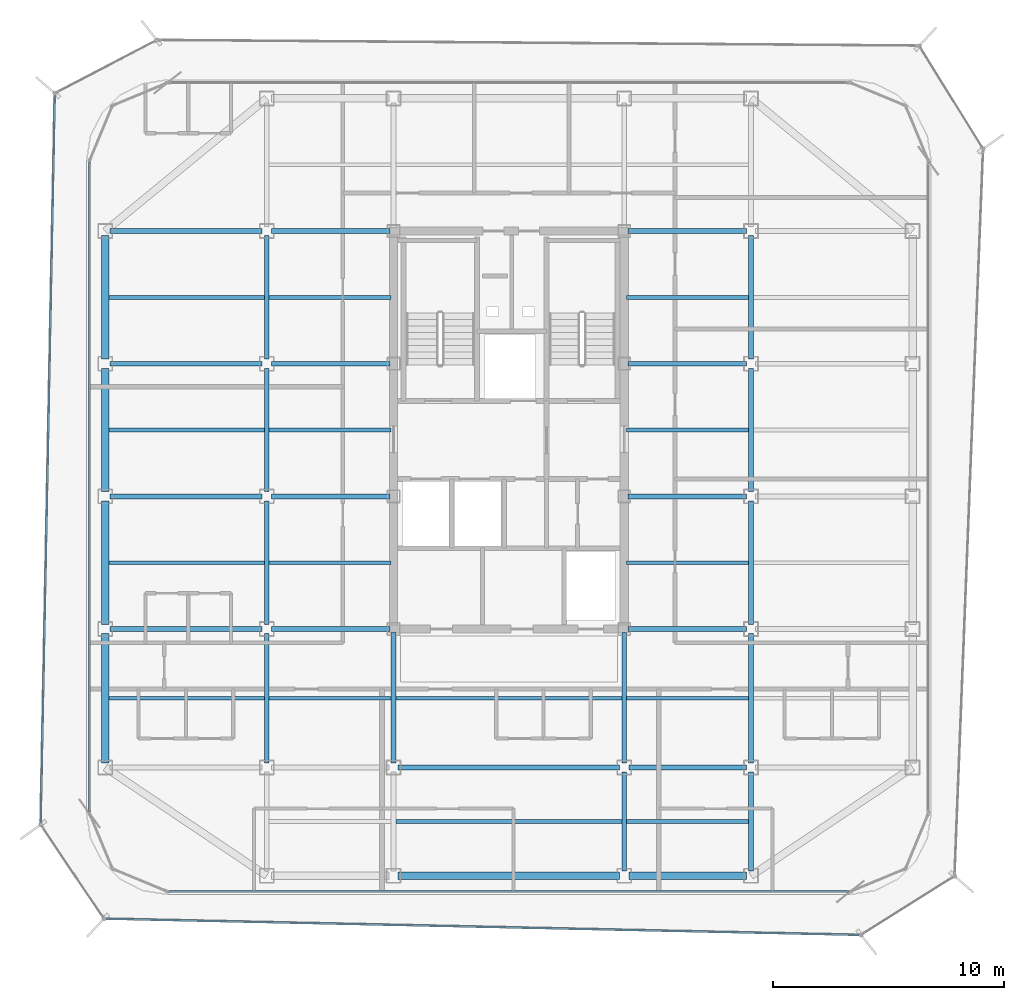
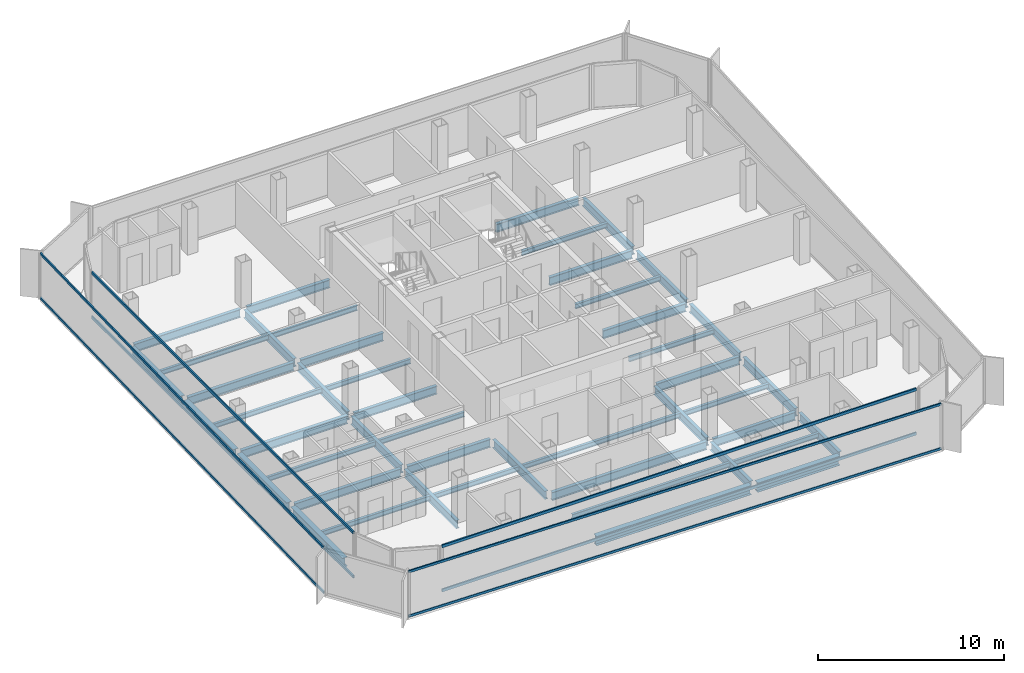
# One storey, part 3 of 15: 47 beams, 8 members, 4 elements without a shape of their own.
"""IFC4 building model written with IfcOpenShell, lengths in metres."""

from ifc_helpers import new_model, si_unit, direction, frame, origin, origin_2d, place, context, subcontext, project, spatial, hollow_rectangle, i_section, extrude, source, transform, mapped, material, layer, layer_set, material_profile, profile_set, type_object, element, aggregate, save


model = new_model("IFC4")

# Units and contexts
model_context = context("Model", 3, precision=1e-05, world=origin(), true_north=direction((0.0, 1.0)))
body_context = subcontext(model_context, "Body", "Model", "MODEL_VIEW")
ifc_project = project(units=[si_unit("LENGTHUNIT", "METRE"), si_unit("AREAUNIT", "SQUARE_METRE"), si_unit("VOLUMEUNIT", "CUBIC_METRE"), si_unit("PLANEANGLEUNIT", "RADIAN"), si_unit("MASSUNIT", "GRAM", prefix="KILO")], contexts=[model_context])

# Site, building, storey
site_placement = place(None, origin())
site = spatial("IfcSite", under=ifc_project, at=site_placement, CompositionType="ELEMENT")
building_placement = place(site_placement, origin())
building = spatial("IfcBuilding", under=site, at=building_placement, Name="Kolveth Station Tower", CompositionType="ELEMENT")
storey_placement = place(building_placement, frame((0.0, 0.0, 223.300048828125)))
storey = spatial("IfcBuildingStorey", under=building, at=storey_placement, Name="L63", CompositionType="ELEMENT", Elevation=223.300048828125)

# Beams
ifc_material_1 = material(Name="Steel S355", Category="steel")
ifc_material_profile_1 = material_profile(ifc_material_1, i_section(OverallWidth=0.323974609375, OverallDepth=0.611083984375, WebThickness=0.0126953125, FlangeThickness=0.01904296875, at=origin_2d()), Name="W610x155")
ifc_profile_set_1 = profile_set([ifc_material_profile_1], Name="Steel S355")
beam_type_1 = type_object("IfcBeamType", Name="Beam_SP2", PredefinedType="SPANDREL", material=ifc_profile_set_1)
shared_shape_1 = source(origin(), body_context, "Body", "SweptSolid", [
    extrude(i_section(OverallWidth=0.323974609375, OverallDepth=0.611083984375, WebThickness=0.0126953125, FlangeThickness=0.01904296875, at=origin_2d()), origin(), (0.0, 0.0, 1.0), 5.10009765625),
])
beam_1_placement = place(storey_placement, frame((28.699951171875, 0.800048828125, -0.525634765625), z_axis=(1.0, 0.0, 0.0), x_axis=(0.0, 1.0, 0.0)))
element("IfcBeam", 1, at=beam_1_placement, inside=storey, type_object=beam_type_1, Name="L63 Perimeter Spandrel BM-L63-PS-3", PredefinedType="SPANDREL", context=body_context, shape_type="MappedRepresentation", body=[
    mapped(shared_shape_1, transform((0.0, 0.0, 0.0), x_axis=(1.0, 0.0, 0.0), y_axis=(0.0, 1.0, 0.0), z_axis=(0.0, 0.0, 1.0), scale=1.0)),
])
shared_shape_2 = source(origin(), body_context, "Body", "SweptSolid", [
    extrude(i_section(OverallWidth=0.323974609375, OverallDepth=0.611083984375, WebThickness=0.0126953125, FlangeThickness=0.01904296875, at=origin_2d()), origin(), (0.0, 0.0, 1.0), 9.60009765625),
])
beam_2_placement = place(storey_placement, frame((18.699951171875, 0.800048828125, -0.525634765625), z_axis=(1.0, 0.0, 0.0), x_axis=(0.0, 1.0, 0.0)))
element("IfcBeam", 2, at=beam_2_placement, inside=storey, type_object=beam_type_1, Name="L63 Perimeter Spandrel BM-L63-PS-2", PredefinedType="SPANDREL", context=body_context, shape_type="MappedRepresentation", body=[
    mapped(shared_shape_2, transform((0.0, 0.0, 0.0), x_axis=(1.0, 0.0, 0.0), y_axis=(0.0, 1.0, 0.0), z_axis=(0.0, 0.0, 1.0), scale=1.0)),
])
shared_shape_3 = source(origin(), body_context, "Body", "SweptSolid", [
    extrude(i_section(OverallWidth=0.323974609375, OverallDepth=0.611083984375, WebThickness=0.0126953125, FlangeThickness=0.01904296875, at=origin_2d()), origin(), (0.0, 0.0, 1.0), 5.60009765625),
])
beam_3_placement = place(storey_placement, frame((6.0, 5.699951171875, -0.525634765625), z_axis=(0.0, 1.0, 0.0), x_axis=(-1.0, 0.0, 0.0)))
element("IfcBeam", 3, at=beam_3_placement, inside=storey, type_object=beam_type_1, Name="L63 Perimeter Spandrel BM-L63-PW-1", PredefinedType="SPANDREL", context=body_context, shape_type="MappedRepresentation", body=[
    mapped(shared_shape_3, transform((0.0, 0.0, 0.0), x_axis=(1.0, 0.0, 0.0), y_axis=(0.0, 1.0, 0.0), z_axis=(0.0, 0.0, 1.0), scale=1.0)),
])
shared_shape_4 = source(origin(), body_context, "Body", "SweptSolid", [
    extrude(i_section(OverallWidth=0.323974609375, OverallDepth=0.611083984375, WebThickness=0.0126953125, FlangeThickness=0.01904296875, at=origin_2d()), origin(), (0.0, 0.0, 1.0), 5.35009765625),
])
for number, where, z_axis, x_axis, name in (
    (4, (6.0, 11.699951171875, -0.525634765625), (0.0, 1.0, 0.0), (-1.0, 0.0, 0.0), "L63 Perimeter Spandrel BM-L63-PW-2"),
    (5, (6.0, 17.449951171875, -0.525634765625), (0.0, 1.0, 0.0), (-1.0, 0.0, 0.0), "L63 Perimeter Spandrel BM-L63-PW-3"),
    (6, (6.0, 23.199951171875, -0.525634765625), (0.0, 1.0, 0.0), (-1.0, 0.0, 0.0), "L63 Perimeter Spandrel BM-L63-PW-4"),
):
    element("IfcBeam", number, at=place(storey_placement, frame(where, z_axis=z_axis, x_axis=x_axis)), inside=storey, type_object=beam_type_1, Name=name, PredefinedType="SPANDREL", context=body_context, shape_type="MappedRepresentation", body=[
        mapped(shared_shape_4, transform((0.0, 0.0, 0.0), x_axis=(1.0, 0.0, 0.0), y_axis=(0.0, 1.0, 0.0), z_axis=(0.0, 0.0, 1.0), scale=1.0)),
    ])
ifc_material_profile_2 = material_profile(ifc_material_1, i_section(OverallWidth=0.2099609375, OverallDepth=0.537109375, WebThickness=0.010986328125, FlangeThickness=0.017333984375, at=origin_2d()), Name="W530x101")
ifc_profile_set_2 = profile_set([ifc_material_profile_2], Name="Steel S355")
beam_type_2 = type_object("IfcBeamType", Name="Beam_B6", PredefinedType="BEAM", material=ifc_profile_set_2)
shared_shape_5 = source(origin(), body_context, "Body", "SweptSolid", [
    extrude(i_section(OverallWidth=0.2099609375, OverallDepth=0.537109375, WebThickness=0.010986328125, FlangeThickness=0.017333984375, at=origin_2d()), origin(), (0.0, 0.0, 1.0), 6.60009765625),
])
for number, where, z_axis, x_axis, name in (
    (7, (6.199951171875, 11.5, -0.488525390625), (1.0, 0.0, 0.0), (0.0, 1.0, 0.0), "L63 Primary Girder BM-L63-GY115-1"),
    (8, (6.199951171875, 17.25, -0.488525390625), (1.0, 0.0, 0.0), (0.0, 1.0, 0.0), "L63 Primary Girder BM-L63-GY172-1"),
    (9, (6.199951171875, 23.0, -0.488525390625), (1.0, 0.0, 0.0), (0.0, 1.0, 0.0), "L63 Primary Girder BM-L63-GY230-1"),
    (10, (6.199951171875, 28.75, -0.488525390625), (1.0, 0.0, 0.0), (0.0, 1.0, 0.0), "L63 Primary Girder BM-L63-GY287-1"),
):
    element("IfcBeam", number, at=place(storey_placement, frame(where, z_axis=z_axis, x_axis=x_axis)), inside=storey, type_object=beam_type_2, Name=name, PredefinedType="BEAM", context=body_context, shape_type="MappedRepresentation", body=[
        mapped(shared_shape_5, transform((0.0, 0.0, 0.0), x_axis=(1.0, 0.0, 0.0), y_axis=(0.0, 1.0, 0.0), z_axis=(0.0, 0.0, 1.0), scale=1.0)),
    ])
shared_shape_6 = source(origin(), body_context, "Body", "SweptSolid", [
    extrude(i_section(OverallWidth=0.2099609375, OverallDepth=0.537109375, WebThickness=0.010986328125, FlangeThickness=0.017333984375, at=origin_2d()), origin(), (0.0, 0.0, 1.0), 5.10009765625),
])
beam_4_placement = place(storey_placement, frame((28.699951171875, 5.5, -0.488525390625), z_axis=(1.0, 0.0, 0.0), x_axis=(0.0, 1.0, 0.0)))
element("IfcBeam", 11, at=beam_4_placement, inside=storey, type_object=beam_type_2, Name="L63 Primary Girder BM-L63-GY55-4", PredefinedType="BEAM", context=body_context, shape_type="MappedRepresentation", body=[
    mapped(shared_shape_6, transform((0.0, 0.0, 0.0), x_axis=(1.0, 0.0, 0.0), y_axis=(0.0, 1.0, 0.0), z_axis=(0.0, 0.0, 1.0), scale=1.0)),
])
shared_shape_7 = source(origin(), body_context, "Body", "SweptSolid", [
    extrude(i_section(OverallWidth=0.2099609375, OverallDepth=0.537109375, WebThickness=0.010986328125, FlangeThickness=0.017333984375, at=origin_2d()), origin(), (0.0, 0.0, 1.0), 9.60009765625),
])
beam_5_placement = place(storey_placement, frame((18.699951171875, 5.5, -0.488525390625), z_axis=(1.0, 0.0, 0.0), x_axis=(0.0, 1.0, 0.0)))
element("IfcBeam", 12, at=beam_5_placement, inside=storey, type_object=beam_type_2, Name="L63 Primary Girder BM-L63-GY55-3", PredefinedType="BEAM", context=body_context, shape_type="MappedRepresentation", body=[
    mapped(shared_shape_7, transform((0.0, 0.0, 0.0), x_axis=(1.0, 0.0, 0.0), y_axis=(0.0, 1.0, 0.0), z_axis=(0.0, 0.0, 1.0), scale=1.0)),
])
shared_shape_8 = source(origin(), body_context, "Body", "SweptSolid", [
    extrude(i_section(OverallWidth=0.2099609375, OverallDepth=0.537109375, WebThickness=0.010986328125, FlangeThickness=0.017333984375, at=origin_2d()), origin(), (0.0, 0.0, 1.0), 5.14013671875),
])
for number, where, z_axis, x_axis, name in (
    (13, (13.199951171875, 11.5, -0.488525390625), (1.0, 0.0, 0.0), (0.0, 1.0, 0.0), "L63 Primary Girder BM-L63-GY115-2"),
    (14, (28.659912109375, 11.5, -0.488525390625), (1.0, 0.0, 0.0), (0.0, 1.0, 0.0), "L63 Primary Girder BM-L63-GY115-4"),
    (15, (13.199951171875, 17.25, -0.488525390625), (1.0, 0.0, 0.0), (0.0, 1.0, 0.0), "L63 Primary Girder BM-L63-GY172-2"),
    (16, (28.659912109375, 17.25, -0.488525390625), (1.0, 0.0, 0.0), (0.0, 1.0, 0.0), "L63 Primary Girder BM-L63-GY172-4"),
    (17, (13.199951171875, 23.0, -0.488525390625), (1.0, 0.0, 0.0), (0.0, 1.0, 0.0), "L63 Primary Girder BM-L63-GY230-2"),
    (18, (28.659912109375, 23.0, -0.488525390625), (1.0, 0.0, 0.0), (0.0, 1.0, 0.0), "L63 Primary Girder BM-L63-GY230-4"),
    (19, (13.199951171875, 28.75, -0.488525390625), (1.0, 0.0, 0.0), (0.0, 1.0, 0.0), "L63 Primary Girder BM-L63-GY287-2"),
    (20, (28.659912109375, 28.75, -0.488525390625), (1.0, 0.0, 0.0), (0.0, 1.0, 0.0), "L63 Primary Girder BM-L63-GY287-4"),
):
    element("IfcBeam", number, at=place(storey_placement, frame(where, z_axis=z_axis, x_axis=x_axis)), inside=storey, type_object=beam_type_2, Name=name, PredefinedType="BEAM", context=body_context, shape_type="MappedRepresentation", body=[
        mapped(shared_shape_8, transform((0.0, 0.0, 0.0), x_axis=(1.0, 0.0, 0.0), y_axis=(0.0, 1.0, 0.0), z_axis=(0.0, 0.0, 1.0), scale=1.0)),
    ])
shared_shape_9 = source(origin(), body_context, "Body", "SweptSolid", [
    extrude(i_section(OverallWidth=0.2099609375, OverallDepth=0.537109375, WebThickness=0.010986328125, FlangeThickness=0.017333984375, at=origin_2d()), origin(), (0.0, 0.0, 1.0), 4.300048828125),
])
for number, where, z_axis, x_axis, name in (
    (21, (28.5, 1.0, -0.488525390625), (0.0, 1.0, 0.0), (-1.0, 0.0, 0.0), "L63 Primary Girder BM-L63-GX285-1"),
    (22, (34.0, 1.0, -0.488525390625), (0.0, 1.0, 0.0), (-1.0, 0.0, 0.0), "L63 Primary Girder BM-L63-GX340-1"),
):
    element("IfcBeam", number, at=place(storey_placement, frame(where, z_axis=z_axis, x_axis=x_axis)), inside=storey, type_object=beam_type_2, Name=name, PredefinedType="BEAM", context=body_context, shape_type="MappedRepresentation", body=[
        mapped(shared_shape_9, transform((0.0, 0.0, 0.0), x_axis=(1.0, 0.0, 0.0), y_axis=(0.0, 1.0, 0.0), z_axis=(0.0, 0.0, 1.0), scale=1.0)),
    ])
shared_shape_10 = source(origin(), body_context, "Body", "SweptSolid", [
    extrude(i_section(OverallWidth=0.2099609375, OverallDepth=0.537109375, WebThickness=0.010986328125, FlangeThickness=0.017333984375, at=origin_2d()), origin(), (0.0, 0.0, 1.0), 5.60009765625),
])
for number, where, z_axis, x_axis, name in (
    (23, (13.0, 5.699951171875, -0.488525390625), (0.0, 1.0, 0.0), (-1.0, 0.0, 0.0), "L63 Primary Girder BM-L63-GX130-2"),
    (24, (34.0, 5.699951171875, -0.488525390625), (0.0, 1.0, 0.0), (-1.0, 0.0, 0.0), "L63 Primary Girder BM-L63-GX340-2"),
):
    element("IfcBeam", number, at=place(storey_placement, frame(where, z_axis=z_axis, x_axis=x_axis)), inside=storey, type_object=beam_type_2, Name=name, PredefinedType="BEAM", context=body_context, shape_type="MappedRepresentation", body=[
        mapped(shared_shape_10, transform((0.0, 0.0, 0.0), x_axis=(1.0, 0.0, 0.0), y_axis=(0.0, 1.0, 0.0), z_axis=(0.0, 0.0, 1.0), scale=1.0)),
    ])
shared_shape_11 = source(origin(), body_context, "Body", "SweptSolid", [
    extrude(i_section(OverallWidth=0.2099609375, OverallDepth=0.537109375, WebThickness=0.010986328125, FlangeThickness=0.017333984375, at=origin_2d()), origin(), (0.0, 0.0, 1.0), 5.35009765625),
])
for number, where, z_axis, x_axis, name in (
    (25, (13.0, 11.699951171875, -0.488525390625), (0.0, 1.0, 0.0), (-1.0, 0.0, 0.0), "L63 Primary Girder BM-L63-GX130-3"),
    (26, (13.0, 17.449951171875, -0.488525390625), (0.0, 1.0, 0.0), (-1.0, 0.0, 0.0), "L63 Primary Girder BM-L63-GX130-4"),
    (27, (13.0, 23.199951171875, -0.488525390625), (0.0, 1.0, 0.0), (-1.0, 0.0, 0.0), "L63 Primary Girder BM-L63-GX130-5"),
    (28, (34.0, 11.699951171875, -0.488525390625), (0.0, 1.0, 0.0), (-1.0, 0.0, 0.0), "L63 Primary Girder BM-L63-GX340-3"),
    (29, (34.0, 17.449951171875, -0.488525390625), (0.0, 1.0, 0.0), (-1.0, 0.0, 0.0), "L63 Primary Girder BM-L63-GX340-4"),
    (30, (34.0, 23.199951171875, -0.488525390625), (0.0, 1.0, 0.0), (-1.0, 0.0, 0.0), "L63 Primary Girder BM-L63-GX340-5"),
):
    element("IfcBeam", number, at=place(storey_placement, frame(where, z_axis=z_axis, x_axis=x_axis)), inside=storey, type_object=beam_type_2, Name=name, PredefinedType="BEAM", context=body_context, shape_type="MappedRepresentation", body=[
        mapped(shared_shape_11, transform((0.0, 0.0, 0.0), x_axis=(1.0, 0.0, 0.0), y_axis=(0.0, 1.0, 0.0), z_axis=(0.0, 0.0, 1.0), scale=1.0)),
    ])
shared_shape_12 = source(origin(), body_context, "Body", "SweptSolid", [
    extrude(i_section(OverallWidth=0.2099609375, OverallDepth=0.537109375, WebThickness=0.010986328125, FlangeThickness=0.017333984375, at=origin_2d()), origin(), (0.0, 0.0, 1.0), 5.64013671875),
])
for number, where, z_axis, x_axis, name in (
    (31, (18.5, 5.699951171875, -0.488525390625), (0.0, 1.0, 0.0), (-1.0, 0.0, 0.0), "L63 Primary Girder BM-L63-GX185-2"),
    (32, (28.5, 5.699951171875, -0.488525390625), (0.0, 1.0, 0.0), (-1.0, 0.0, 0.0), "L63 Primary Girder BM-L63-GX285-2"),
):
    element("IfcBeam", number, at=place(storey_placement, frame(where, z_axis=z_axis, x_axis=x_axis)), inside=storey, type_object=beam_type_2, Name=name, PredefinedType="BEAM", context=body_context, shape_type="MappedRepresentation", body=[
        mapped(shared_shape_12, transform((0.0, 0.0, 0.0), x_axis=(1.0, 0.0, 0.0), y_axis=(0.0, 1.0, 0.0), z_axis=(0.0, 0.0, 1.0), scale=1.0)),
    ])
ifc_material_profile_3 = material_profile(ifc_material_1, i_section(OverallWidth=0.1650390625, OverallDepth=0.31005859375, WebThickness=0.005859375, FlangeThickness=0.009765625, at=origin_2d()), Name="W310x39")
ifc_profile_set_3 = profile_set([ifc_material_profile_3], Name="Steel S355")
beam_type_3 = type_object("IfcBeamType", Name="Beam_J3", PredefinedType="JOIST", material=ifc_profile_set_3)
shared_shape_13 = source(origin(), body_context, "Body", "SweptSolid", [
    extrude(i_section(OverallWidth=0.1650390625, OverallDepth=0.31005859375, WebThickness=0.005859375, FlangeThickness=0.009765625, at=origin_2d()), origin(), (0.0, 0.0, 1.0), 6.737060546875),
])
for number, where, z_axis, x_axis, name in (
    (33, (6.159912109375, 8.5, -0.375), (1.0, 0.0, 0.0), (0.0, 1.0, 0.0), "L63 Secondary Joist JST-L63-1-2"),
    (34, (6.159912109375, 14.375, -0.375), (1.0, 0.0, 0.0), (0.0, 1.0, 0.0), "L63 Secondary Joist JST-L63-1-3"),
    (35, (6.159912109375, 20.125, -0.375), (1.0, 0.0, 0.0), (0.0, 1.0, 0.0), "L63 Secondary Joist JST-L63-1-4"),
    (36, (6.159912109375, 25.875, -0.375), (1.0, 0.0, 0.0), (0.0, 1.0, 0.0), "L63 Secondary Joist JST-L63-1-5"),
):
    element("IfcBeam", number, at=place(storey_placement, frame(where, z_axis=z_axis, x_axis=x_axis)), inside=storey, type_object=beam_type_3, Name=name, PredefinedType="JOIST", context=body_context, shape_type="MappedRepresentation", body=[
        mapped(shared_shape_13, transform((0.0, 0.0, 0.0), x_axis=(1.0, 0.0, 0.0), y_axis=(0.0, 1.0, 0.0), z_axis=(0.0, 0.0, 1.0), scale=1.0)),
    ])
shared_shape_14 = source(origin(), body_context, "Body", "SweptSolid", [
    extrude(i_section(OverallWidth=0.1650390625, OverallDepth=0.31005859375, WebThickness=0.005859375, FlangeThickness=0.009765625, at=origin_2d()), origin(), (0.0, 0.0, 1.0), 5.2939453125),
])
for number, where, z_axis, x_axis, name in (
    (37, (13.10302734375, 8.5, -0.375), (1.0, 0.0, 0.0), (0.0, 1.0, 0.0), "L63 Secondary Joist JST-L63-2-2"),
    (38, (13.10302734375, 14.375, -0.375), (1.0, 0.0, 0.0), (0.0, 1.0, 0.0), "L63 Secondary Joist JST-L63-2-3"),
    (39, (13.10302734375, 20.125, -0.375), (1.0, 0.0, 0.0), (0.0, 1.0, 0.0), "L63 Secondary Joist JST-L63-2-4"),
    (40, (13.10302734375, 25.875, -0.375), (1.0, 0.0, 0.0), (0.0, 1.0, 0.0), "L63 Secondary Joist JST-L63-2-5"),
    (41, (28.60302734375, 3.14990234375, -0.375), (1.0, 0.0, 0.0), (0.0, 1.0, 0.0), "L63 Secondary Joist JST-L63-4-1"),
    (42, (28.60302734375, 8.5, -0.375), (1.0, 0.0, 0.0), (0.0, 1.0, 0.0), "L63 Secondary Joist JST-L63-4-2"),
    (43, (28.60302734375, 14.375, -0.375), (1.0, 0.0, 0.0), (0.0, 1.0, 0.0), "L63 Secondary Joist JST-L63-4-3"),
    (44, (28.60302734375, 20.125, -0.375), (1.0, 0.0, 0.0), (0.0, 1.0, 0.0), "L63 Secondary Joist JST-L63-4-4"),
    (45, (28.60302734375, 25.875, -0.375), (1.0, 0.0, 0.0), (0.0, 1.0, 0.0), "L63 Secondary Joist JST-L63-4-5"),
):
    element("IfcBeam", number, at=place(storey_placement, frame(where, z_axis=z_axis, x_axis=x_axis)), inside=storey, type_object=beam_type_3, Name=name, PredefinedType="JOIST", context=body_context, shape_type="MappedRepresentation", body=[
        mapped(shared_shape_14, transform((0.0, 0.0, 0.0), x_axis=(1.0, 0.0, 0.0), y_axis=(0.0, 1.0, 0.0), z_axis=(0.0, 0.0, 1.0), scale=1.0)),
    ])
shared_shape_15 = source(origin(), body_context, "Body", "SweptSolid", [
    extrude(i_section(OverallWidth=0.1650390625, OverallDepth=0.31005859375, WebThickness=0.005859375, FlangeThickness=0.009765625, at=origin_2d()), origin(), (0.0, 0.0, 1.0), 9.7939453125),
])
for number, where, z_axis, x_axis, name in (
    (46, (18.60302734375, 3.14990234375, -0.375), (1.0, 0.0, 0.0), (0.0, 1.0, 0.0), "L63 Secondary Joist JST-L63-3-1"),
    (47, (18.60302734375, 8.5, -0.375), (1.0, 0.0, 0.0), (0.0, 1.0, 0.0), "L63 Secondary Joist JST-L63-3-2"),
):
    element("IfcBeam", number, at=place(storey_placement, frame(where, z_axis=z_axis, x_axis=x_axis)), inside=storey, type_object=beam_type_3, Name=name, PredefinedType="JOIST", context=body_context, shape_type="MappedRepresentation", body=[
        mapped(shared_shape_15, transform((0.0, 0.0, 0.0), x_axis=(1.0, 0.0, 0.0), y_axis=(0.0, 1.0, 0.0), z_axis=(0.0, 0.0, 1.0), scale=1.0)),
    ])

# Curtain wall, members
ifc_material_2 = material(Name="Aluminium 6063-T6 and triple low-E dark glass", Category="aluminium")
ifc_layer_1 = layer(ifc_material_2, 0.199951171875)
ifc_layer_set_1 = layer_set([ifc_layer_1], Name="Aluminium 6063-T6 and triple low-E dark glass")
curtain_wall_type_1 = type_object("IfcCurtainWallType", Name="CurtainWall_CW-Z3", PredefinedType="NOTDEFINED", material=ifc_layer_set_1)
curtain_wall_1_placement = place(storey_placement, origin())
curtain_wall_1 = element("IfcCurtainWall", 48, at=curtain_wall_1_placement, inside=storey, type_object=curtain_wall_type_1, Name="L63 Inner Thermal Curtain Wall 9", PredefinedType="NOTDEFINED")
ifc_material_3 = material(Name="Black anodized aluminium 6063-T6", Category="aluminium")
ifc_material_profile_4 = material_profile(ifc_material_3, hollow_rectangle(XDim=0.0849609375, YDim=0.179931640625, WallThickness=0.0048828125, at=origin_2d()), Name="ALU-85x180x5")
ifc_profile_set_4 = profile_set([ifc_material_profile_4], Name="Black anodized aluminium 6063-T6")
member_type_1 = type_object("IfcMemberType", Name="Transom_TR3", PredefinedType="USERDEFINED", material=ifc_profile_set_4)
shared_shape_16 = source(origin(), body_context, "Body", "SweptSolid", [
    extrude(hollow_rectangle(XDim=0.0849609375, YDim=0.179931640625, WallThickness=0.0048828125, at=origin_2d()), origin(), (0.0, 0.0, 1.0), 28.130126953125),
])
member_1_placement = place(storey_placement, frame((5.320068359375, 31.715087890625, 0.04248046875), z_axis=(0.0, -1.0, 0.0), x_axis=(1.0, 0.0, 0.0)))
member_1 = element("IfcMember", 49, at=member_1_placement, type_object=member_type_1, Name="CW-Z3 transom 1.1", ObjectType="TRANSOM", PredefinedType="USERDEFINED", context=body_context, shape_type="MappedRepresentation", body=[
    mapped(shared_shape_16, transform((0.0, 0.0, 0.0), x_axis=(1.0, 0.0, 0.0), y_axis=(0.0, 1.0, 0.0), z_axis=(0.0, 0.0, 1.0), scale=1.0)),
])
member_2_placement = place(storey_placement, frame((5.320068359375, 31.715087890625, 2.9375), z_axis=(0.0, -1.0, 0.0), x_axis=(1.0, 0.0, 0.0)))
member_2 = element("IfcMember", 50, at=member_2_placement, type_object=member_type_1, Name="CW-Z3 transom 1.2", ObjectType="TRANSOM", PredefinedType="USERDEFINED", context=body_context, shape_type="MappedRepresentation", body=[
    mapped(shared_shape_16, transform((0.0, 0.0, 0.0), x_axis=(1.0, 0.0, 0.0), y_axis=(0.0, 1.0, 0.0), z_axis=(0.0, 0.0, 1.0), scale=1.0)),
])
aggregate(curtain_wall_1, [member_1, member_2])

curtain_wall_2_placement = place(storey_placement, origin())
curtain_wall_2 = element("IfcCurtainWall", 51, at=curtain_wall_2_placement, inside=storey, type_object=curtain_wall_type_1, Name="L63 Inner Thermal Curtain Wall 12", PredefinedType="NOTDEFINED")
shared_shape_17 = source(origin(), body_context, "Body", "SweptSolid", [
    extrude(hollow_rectangle(XDim=0.0849609375, YDim=0.179931640625, WallThickness=0.0048828125, at=origin_2d()), origin(), (0.0, 0.0, 1.0), 29.43017578125),
])
member_3_placement = place(storey_placement, frame((8.784912109375, 0.1201171875, 0.04248046875), z_axis=(1.0, 0.0, 0.0), x_axis=(0.0, 1.0, 0.0)))
member_3 = element("IfcMember", 52, at=member_3_placement, type_object=member_type_1, Name="CW-Z3 transom 1.1", ObjectType="TRANSOM", PredefinedType="USERDEFINED", context=body_context, shape_type="MappedRepresentation", body=[
    mapped(shared_shape_17, transform((0.0, 0.0, 0.0), x_axis=(1.0, 0.0, 0.0), y_axis=(0.0, 1.0, 0.0), z_axis=(0.0, 0.0, 1.0), scale=1.0)),
])
member_4_placement = place(storey_placement, frame((8.784912109375, 0.1201171875, 2.9375), z_axis=(1.0, 0.0, 0.0), x_axis=(0.0, 1.0, 0.0)))
member_4 = element("IfcMember", 53, at=member_4_placement, type_object=member_type_1, Name="CW-Z3 transom 1.2", ObjectType="TRANSOM", PredefinedType="USERDEFINED", context=body_context, shape_type="MappedRepresentation", body=[
    mapped(shared_shape_17, transform((0.0, 0.0, 0.0), x_axis=(1.0, 0.0, 0.0), y_axis=(0.0, 1.0, 0.0), z_axis=(0.0, 0.0, 1.0), scale=1.0)),
])
aggregate(curtain_wall_2, [member_3, member_4])

ifc_material_4 = material(Name="Black anodized aluminium 6063-T6 and dark solar glass", Category="aluminium")
ifc_layer_2 = layer(ifc_material_4, 0.159912109375)
ifc_layer_set_2 = layer_set([ifc_layer_2], Name="Black anodized aluminium 6063-T6 and dark solar glass")
curtain_wall_type_2 = type_object("IfcCurtainWallType", Name="OUTER SKIN CW-OS", PredefinedType="NOTDEFINED", material=ifc_layer_set_2)
curtain_wall_3_placement = place(storey_placement, origin())
curtain_wall_3 = element("IfcCurtainWall", 54, at=curtain_wall_3_placement, inside=storey, type_object=curtain_wall_type_2, Name="L63 Outer Ventilated Skin Curtain Wall 6", PredefinedType="NOTDEFINED")
ifc_material_profile_5 = material_profile(ifc_material_3, hollow_rectangle(XDim=0.080078125, YDim=0.14990234375, WallThickness=0.0048828125, at=origin_2d()), Name="ALU-80x150x5")
ifc_profile_set_5 = profile_set([ifc_material_profile_5], Name="Black anodized aluminium 6063-T6")
member_type_2 = type_object("IfcMemberType", Name="Transom_TR-OS", PredefinedType="USERDEFINED", material=ifc_profile_set_5)
shared_shape_18 = source(origin(), body_context, "Body", "SweptSolid", [
    extrude(hollow_rectangle(XDim=0.080078125, YDim=0.14990234375, WallThickness=0.0048828125, at=origin_2d()), origin(), (0.0, 0.0, 1.0), 31.5205078125),
])
member_5_placement = place(storey_placement, frame((3.81640625, 34.626953125, 0.0400390625), z_axis=(-0.019355859997, -0.999812657793, 0.0), x_axis=(0.999812657793, -0.019355859997, 0.0)))
member_5 = element("IfcMember", 55, at=member_5_placement, type_object=member_type_2, Name="CW-OS transom 1.1", ObjectType="TRANSOM", PredefinedType="USERDEFINED", context=body_context, shape_type="MappedRepresentation", body=[
    mapped(shared_shape_18, transform((0.0, 0.0, 0.0), x_axis=(1.0, 0.0, 0.0), y_axis=(0.0, 1.0, 0.0), z_axis=(0.0, 0.0, 1.0), scale=1.0)),
])
member_6_placement = place(storey_placement, frame((3.81640625, 34.626953125, 2.949951171875), z_axis=(-0.019355859997, -0.999812657793, 0.0), x_axis=(0.999812657793, -0.019355859997, 0.0)))
member_6 = element("IfcMember", 56, at=member_6_placement, type_object=member_type_2, Name="CW-OS transom 1.2", ObjectType="TRANSOM", PredefinedType="USERDEFINED", context=body_context, shape_type="MappedRepresentation", body=[
    mapped(shared_shape_18, transform((0.0, 0.0, 0.0), x_axis=(1.0, 0.0, 0.0), y_axis=(0.0, 1.0, 0.0), z_axis=(0.0, 0.0, 1.0), scale=1.0)),
])
aggregate(curtain_wall_3, [member_5, member_6])

curtain_wall_4_placement = place(storey_placement, origin())
curtain_wall_4 = element("IfcCurtainWall", 57, at=curtain_wall_4_placement, inside=storey, type_object=curtain_wall_type_2, Name="L63 Outer Ventilated Skin Curtain Wall 8", PredefinedType="NOTDEFINED")
shared_shape_19 = source(origin(), body_context, "Body", "SweptSolid", [
    extrude(hollow_rectangle(XDim=0.080078125, YDim=0.14990234375, WallThickness=0.0048828125, at=origin_2d()), origin(), (0.0, 0.0, 1.0), 32.641357421875),
])
member_7_placement = place(storey_placement, frame((6.0400390625, -1.059814453125, 0.0400390625), z_axis=(0.999768611319, -0.021511016295, 0.0), x_axis=(0.021511016295, 0.999768611319, 0.0)))
member_7 = element("IfcMember", 58, at=member_7_placement, type_object=member_type_2, Name="CW-OS transom 1.1", ObjectType="TRANSOM", PredefinedType="USERDEFINED", context=body_context, shape_type="MappedRepresentation", body=[
    mapped(shared_shape_19, transform((0.0, 0.0, 0.0), x_axis=(1.0, 0.0, 0.0), y_axis=(0.0, 1.0, 0.0), z_axis=(0.0, 0.0, 1.0), scale=1.0)),
])
member_8_placement = place(storey_placement, frame((6.0400390625, -1.059814453125, 2.949951171875), z_axis=(0.999768611319, -0.021511016295, 0.0), x_axis=(0.021511016295, 0.999768611319, 0.0)))
member_8 = element("IfcMember", 59, at=member_8_placement, type_object=member_type_2, Name="CW-OS transom 1.2", ObjectType="TRANSOM", PredefinedType="USERDEFINED", context=body_context, shape_type="MappedRepresentation", body=[
    mapped(shared_shape_19, transform((0.0, 0.0, 0.0), x_axis=(1.0, 0.0, 0.0), y_axis=(0.0, 1.0, 0.0), z_axis=(0.0, 0.0, 1.0), scale=1.0)),
])
aggregate(curtain_wall_4, [member_7, member_8])

save(model, "model.ifc")
